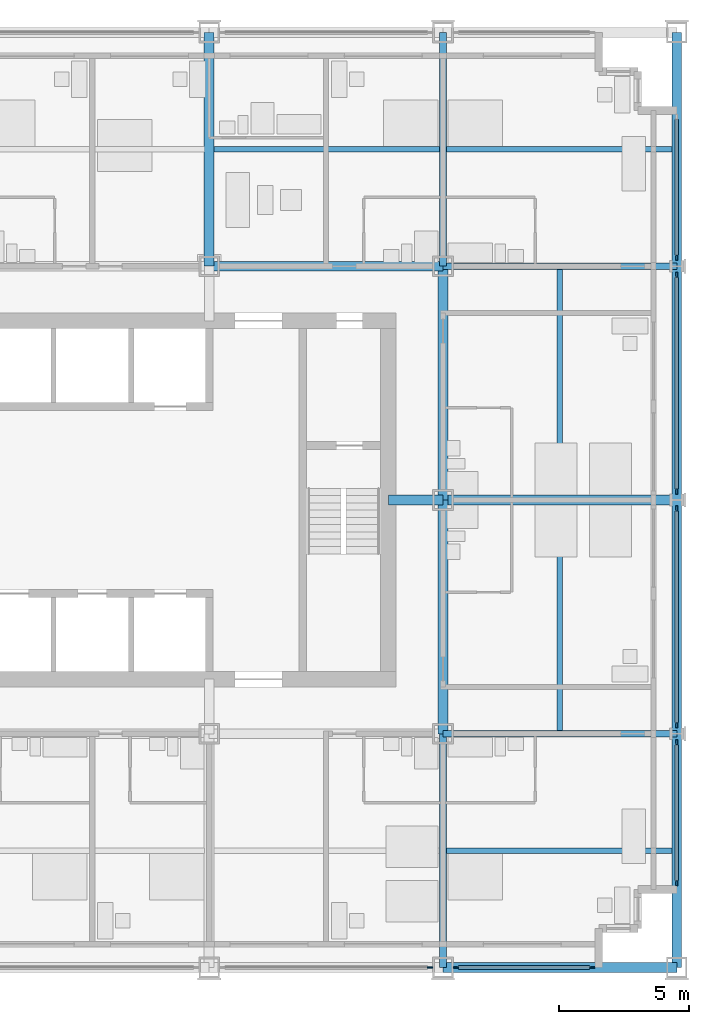
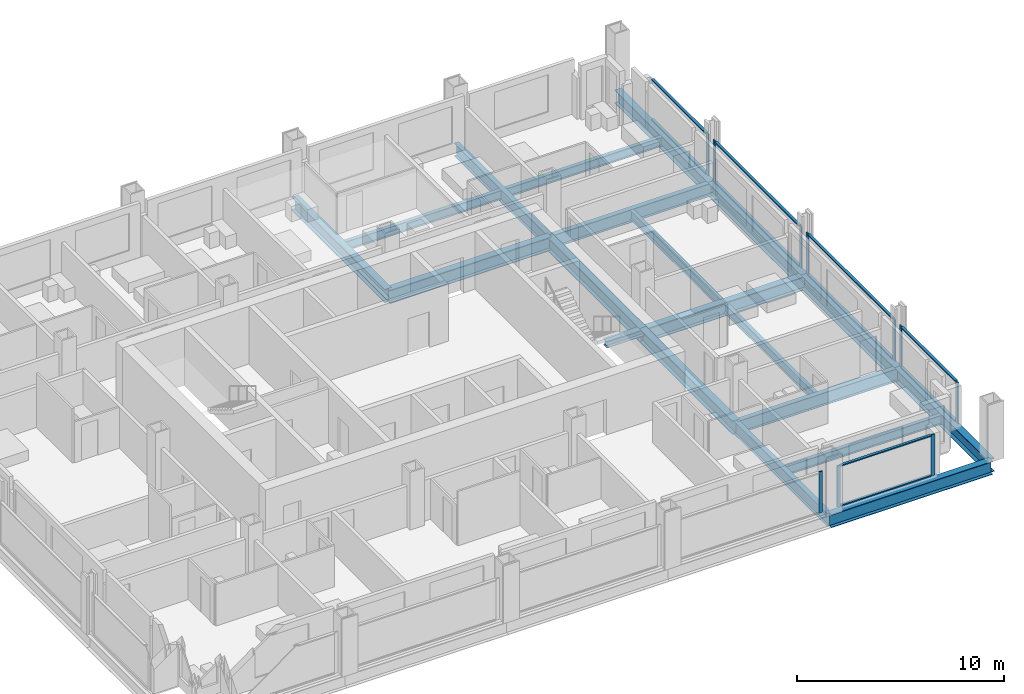
# One storey, part 5 of 16: 21 members, 19 beams, 6 elements without a shape of their own.
"""IFC4 building model written with IfcOpenShell, lengths in metres."""

import ifcopenshell
import ifcopenshell.guid

model = None  # the IFC model being written
_history = None  # IfcOwnerHistory: only IFC2X3 demands one
_inside = {}  # id of a spatial element -> (the spatial element, [elements in it])
_under = {}  # id of a project, library or spatial element -> (it, [spatial elements below it])
_declared = {}  # id of a project -> (the project, [libraries it declares])
_typed = {}  # id of a type object -> (the type object, [elements of that type])
_made_of = {}  # id of a material, layer set ... -> (it, [elements and type objects made of it])


def new_model(schema):
    """Start an empty IFC model of exactly this schema.

    Asked for "IFC4X3", IfcOpenShell would pick the latest addendum, in which some entities
    have other attributes; the version numbers below select the first issue.
    IFC2X3 requires an IfcOwnerHistory on every rooted entity: one is made here for all.
    """
    global model, _history
    if schema == "IFC4X3":
        model = ifcopenshell.file(schema_version=(4, 3, 0, 0))
    else:
        model = ifcopenshell.file(schema=schema)
    _inside.clear()
    _under.clear()
    _declared.clear()
    _typed.clear()
    _made_of.clear()
    _history = None
    if model.schema == "IFC2X3":
        org = make("IfcOrganization", Name="unknown")
        user = make(
            "IfcPersonAndOrganization",
            ThePerson=make("IfcPerson", FamilyName="unknown"),
            TheOrganization=org,
        )
        app = make(
            "IfcApplication",
            ApplicationDeveloper=org,
            Version="unknown",
            ApplicationFullName="unknown",
            ApplicationIdentifier="unknown",
        )
        _history = make(
            "IfcOwnerHistory",
            OwningUser=user,
            OwningApplication=app,
            ChangeAction="ADDED",
            CreationDate=0,
        )
    return model


def make(cls, **values):
    """One entity of the class cls with the attributes given. An attribute that is None is left unset."""
    return model.create_entity(
        cls, **{name: value for name, value in values.items() if value is not None}
    )


def rooted(cls, **values):
    """An entity with a GlobalId (a new one), such as an element, a storey or a relation."""
    return make(cls, GlobalId=ifcopenshell.guid.new(), OwnerHistory=_history, **values)


def si_unit(unit_type, name, prefix=None):
    """IfcSIUnit, for example si_unit("LENGTHUNIT", "METRE", prefix="MILLI")."""
    return make("IfcSIUnit", UnitType=unit_type, Prefix=prefix, Name=name)


def assignment(units):
    """IfcUnitAssignment: the units of a project."""
    return None if units is None else make("IfcUnitAssignment", Units=units)


def point(xyz):
    """IfcCartesianPoint."""
    return None if xyz is None else make("IfcCartesianPoint", Coordinates=xyz)


def direction(xyz):
    """IfcDirection."""
    return None if xyz is None else make("IfcDirection", DirectionRatios=xyz)


def frame(location, z_axis=None, x_axis=None):
    """IfcAxis2Placement3D, a coordinate frame: its origin and axes. An axis left out is left unset."""
    return make(
        "IfcAxis2Placement3D",
        Location=point(location),
        Axis=direction(z_axis),
        RefDirection=direction(x_axis),
    )


def frame_2d(location, x_axis=None):
    """IfcAxis2Placement2D, a coordinate frame in the plane: its origin and x axis."""
    return make(
        "IfcAxis2Placement2D", Location=point(location), RefDirection=direction(x_axis)
    )


def origin():
    """The frame at (0, 0, 0) with its axes left unset."""
    return frame((0.0, 0.0, 0.0))


def origin_2d():
    """The frame at (0, 0) in the plane with its x axis left unset."""
    return frame_2d((0.0, 0.0))


def place(relative_to, where):
    """IfcLocalPlacement: puts the frame where relative to a parent placement (None: the world)."""
    return make(
        "IfcLocalPlacement", PlacementRelTo=relative_to, RelativePlacement=where
    )


def context(
    kind, dimensions, precision=None, world=None, true_north=None, identifier=None
):
    """IfcGeometricRepresentationContext, for example the 3D "Model" context."""
    return make(
        "IfcGeometricRepresentationContext",
        ContextIdentifier=identifier,
        ContextType=kind,
        CoordinateSpaceDimension=dimensions,
        Precision=precision,
        WorldCoordinateSystem=world,
        TrueNorth=true_north,
    )


def subcontext(parent, identifier, kind, view, scale=None):
    """IfcGeometricRepresentationSubContext, for example "Body" below "Model"."""
    return make(
        "IfcGeometricRepresentationSubContext",
        ContextIdentifier=identifier,
        ContextType=kind,
        ParentContext=parent,
        TargetScale=scale,
        TargetView=view,
    )


def project(units=None, contexts=None):
    """IfcProject with its units and contexts."""
    return rooted(
        "IfcProject",
        Name="project",
        RepresentationContexts=contexts,
        UnitsInContext=assignment(units),
    )


def spatial(cls, under=None, at=None, **own):
    """A site, building, storey or space (cls), placed at a placement, below another one or the project."""
    s = rooted(cls, ObjectPlacement=at, **own)
    if under is not None:
        _under.setdefault(under.id(), (under, []))[1].append(s)
    return s


def profile(cls, at=None, kind="AREA", **sizes):
    """A parametric profile (cls). Its sizes go by their IFC names, for example OverallWidth=200.0."""
    return make(cls, ProfileType=kind, Position=at, **sizes)


def rectangle(**sizes):
    """IfcRectangleProfileDef."""
    return profile("IfcRectangleProfileDef", **sizes)


def i_section(**sizes):
    """IfcIShapeProfileDef."""
    return profile("IfcIShapeProfileDef", **sizes)


def extrude(swept, where, along, depth):
    """IfcExtrudedAreaSolid: the profile swept, set in the frame where, extruded along a direction by depth."""
    return make(
        "IfcExtrudedAreaSolid",
        SweptArea=swept,
        Position=where,
        ExtrudedDirection=direction(along),
        Depth=depth,
    )


def shape(context_of_items, identifier, shape_type, items):
    """IfcShapeRepresentation: the items that make up one representation, for example the "Body"."""
    return make(
        "IfcShapeRepresentation",
        ContextOfItems=context_of_items,
        RepresentationIdentifier=identifier,
        RepresentationType=shape_type,
        Items=items,
    )


def material(Name=None, Category=None):
    """IfcMaterial."""
    return make("IfcMaterial", Name=Name, Category=Category)


def material_profile(
    of_material, cross_section, Name=None, Category=None, Priority=None
):
    """IfcMaterialProfile: a cross section and its material."""
    return make(
        "IfcMaterialProfile",
        Name=Name,
        Material=of_material,
        Profile=cross_section,
        Priority=Priority,
        Category=Category,
    )


def profile_set(profiles, Name=None, composite=None):
    """IfcMaterialProfileSet."""
    return make(
        "IfcMaterialProfileSet",
        Name=Name,
        MaterialProfiles=profiles,
        CompositeProfile=composite,
    )


def made_of(thing, what):
    """Note that an element or type object is made of a material, layer set ...; save() writes the relation."""
    if what is not None:
        _made_of.setdefault(what.id(), (what, []))[1].append(thing)
    return thing


def type_object(cls, material=None, **own):
    """A type object (cls), such as IfcWallType, which elements share."""
    return made_of(rooted(cls, **own), material)


def element(
    cls,
    number,
    at=None,
    inside=None,
    cuts=None,
    type_object=None,
    material=None,
    context=None,
    identifier="Body",
    shape_type=None,
    held_by="IfcProductDefinitionShape",
    body=None,
    shapes=None,
    **own,
):
    """One element of the class cls, such as IfcWall. Its Tag is "e" and its number.

    at: its placement. inside: the storey or other place that contains it. cuts: it is an
    opening in that element (IfcRelVoidsElement). A single representation is given by context,
    identifier, shape_type and body (its items); several are given by shapes. held_by: the class
    of the entity that holds the representations. save() writes the other relations.
    """
    e = rooted(cls, Tag="e%d" % number, ObjectPlacement=at, **own)
    if body is not None:
        shapes = [shape(context, identifier, shape_type, body)]
    if shapes is not None:
        e.Representation = make(held_by, Representations=shapes)
    if inside is not None:
        _inside.setdefault(inside.id(), (inside, []))[1].append(e)
    if cuts is not None:
        rooted(
            "IfcRelVoidsElement", RelatingBuildingElement=cuts, RelatedOpeningElement=e
        )
    if type_object is not None:
        _typed.setdefault(type_object.id(), (type_object, []))[1].append(e)
    return made_of(e, material)


def aggregate(whole, parts):
    """IfcRelAggregates: a whole, such as a stair, and the parts it consists of."""
    return rooted("IfcRelAggregates", RelatingObject=whole, RelatedObjects=parts)


def save(model, path):
    """Write the relations noted so far, then the file.

    IfcRelAggregates (storeys below a building ...), IfcRelContainedInSpatialStructure (elements
    in a storey), IfcRelDefinesByType, IfcRelAssociatesMaterial and IfcRelDeclares: one each for
    every whole, place, type object, material and project.
    """
    for whole, parts in _under.values():
        aggregate(whole, parts)
    for where, things in _inside.values():
        rooted(
            "IfcRelContainedInSpatialStructure",
            RelatedElements=things,
            RelatingStructure=where,
        )
    for kind, things in _typed.values():
        rooted("IfcRelDefinesByType", RelatedObjects=things, RelatingType=kind)
    for what, things in _made_of.values():
        rooted("IfcRelAssociatesMaterial", RelatedObjects=things, RelatingMaterial=what)
    for by, libraries in _declared.values():
        rooted("IfcRelDeclares", RelatingContext=by, RelatedDefinitions=libraries)
    model.write(path)


model = new_model("IFC4")

# Units and contexts
model_context = context("Model", 3, precision=1e-05, world=origin(), true_north=direction((0.0, 1.0)))
body_context = subcontext(model_context, "Body", "Model", "MODEL_VIEW")
ifc_project = project(units=[si_unit("LENGTHUNIT", "METRE"), si_unit("AREAUNIT", "SQUARE_METRE"), si_unit("VOLUMEUNIT", "CUBIC_METRE"), si_unit("PLANEANGLEUNIT", "RADIAN"), si_unit("MASSUNIT", "GRAM", prefix="KILO")], contexts=[model_context])

# Site, building, storey
site_placement = place(None, origin())
site = spatial("IfcSite", under=ifc_project, at=site_placement, CompositionType="ELEMENT")
building_placement = place(site_placement, origin())
building = spatial("IfcBuilding", under=site, at=building_placement, Name="Loomwork Tower", CompositionType="ELEMENT")
storey_placement = place(building_placement, frame((0.0, 0.0, 101.0)))
storey = spatial("IfcBuildingStorey", under=building, at=storey_placement, Name="L26", CompositionType="ELEMENT", Elevation=101.0)

# Beams
ifc_material_1 = material(Name="Steel ASTM A992", Category="steel")
ifc_material_profile_1 = material_profile(ifc_material_1, i_section(OverallWidth=0.383544921875, OverallDepth=0.794921875, WebThickness=0.02099609375, FlangeThickness=0.0380859375, at=origin_2d()), Name="W30x235")
ifc_profile_set_1 = profile_set([ifc_material_profile_1], Name="Steel ASTM A992")
beam_type_1 = type_object("IfcBeamType", Name="CORE FLANK GIRDER W30x235", PredefinedType="BEAM", material=ifc_profile_set_1)
for number, where, z_axis, x_axis, name in (
    (1, (36.0, 18.0, -0.597412109375), (1.0, 0.0, 0.0), (0.0, 1.0, 0.0), "Core Flank Girder F/6-F/7 L26"),
    (2, (27.0, 27.0, -0.597412109375), (1.0, 0.0, 0.0), (0.0, 1.0, 0.0), "Core Flank Girder G/5-G/6 L26"),
    (3, (27.0, 27.0, -0.597412109375), (0.0, 1.0, 0.0), (-1.0, 0.0, 0.0), "Core Flank Girder G/5-H/5 L26"),
    (4, (36.0, 9.0, -0.597412109375), (0.0, 1.0, 0.0), (-1.0, 0.0, 0.0), "Core Flank Girder E/6-F/6 L26"),
    (5, (36.0, 18.0, -0.597412109375), (0.0, 1.0, 0.0), (-1.0, 0.0, 0.0), "Core Flank Girder F/6-G/6 L26"),
):
    element("IfcBeam", number, at=place(storey_placement, frame(where, z_axis=z_axis, x_axis=x_axis)), inside=storey, type_object=beam_type_1, Name=name, PredefinedType="BEAM", context=body_context, shape_type="SweptSolid", body=[
        extrude(i_section(OverallWidth=0.383544921875, OverallDepth=0.794921875, WebThickness=0.02099609375, FlangeThickness=0.0380859375, at=origin_2d()), origin(), (0.0, 0.0, 1.0), 9.0),
    ])

# Member
ifc_material_2 = material(Name="Steel ASTM A992", Category="steel")
ifc_material_profile_2 = material_profile(ifc_material_2, i_section(OverallWidth=0.373291015625, OverallDepth=0.373291015625, WebThickness=0.016357421875, FlangeThickness=0.026123046875, at=origin_2d()), Name="W14x132")
ifc_profile_set_2 = profile_set([ifc_material_profile_2], Name="Steel ASTM A992")
member_type_1 = type_object("IfcMemberType", Name="CORE LINK STRUT W14x132", PredefinedType="STRUT", material=ifc_profile_set_2)
member_1_placement = place(storey_placement, frame((36.0, 18.0, -0.38671875), z_axis=(-1.0, 0.0, 0.0), x_axis=(0.0, -1.0, 0.0)))
element("IfcMember", 6, at=member_1_placement, inside=storey, type_object=member_type_1, Name="Core link strut F/6-33.900,18.000 L26", PredefinedType="STRUT", context=body_context, shape_type="SweptSolid", body=[
    extrude(i_section(OverallWidth=0.373291015625, OverallDepth=0.373291015625, WebThickness=0.016357421875, FlangeThickness=0.026123046875, at=origin_2d()), origin(), (0.0, 0.0, 1.0), 2.10009765625),
])

# Beams
ifc_material_3 = material(Name="Steel ASTM A992", Category="steel")
ifc_material_profile_3 = material_profile(ifc_material_3, i_section(OverallWidth=0.2666015625, OverallDepth=0.761962890625, WebThickness=0.014404296875, FlangeThickness=0.021484375, at=origin_2d()), Name="W30x116")
ifc_profile_set_3 = profile_set([ifc_material_profile_3], Name="Steel ASTM A992")
beam_type_2 = type_object("IfcBeamType", Name="FLOOR GIRDER W30x116", PredefinedType="BEAM", material=ifc_profile_set_3)
for number, where, z_axis, x_axis, name in (
    (7, (36.0, 9.0, -0.5810546875), (1.0, 0.0, 0.0), (0.0, 1.0, 0.0), "Floor Girder E/6-E/7 L26"),
    (8, (36.0, 27.0, -0.5810546875), (1.0, 0.0, 0.0), (0.0, 1.0, 0.0), "Floor Girder G/6-G/7 L26"),
    (9, (36.0, 0.0, -0.5810546875), (0.0, 1.0, 0.0), (-1.0, 0.0, 0.0), "Floor Girder D/6-E/6 L26"),
    (10, (36.0, 27.0, -0.5810546875), (0.0, 1.0, 0.0), (-1.0, 0.0, 0.0), "Floor Girder G/6-H/6 L26"),
):
    element("IfcBeam", number, at=place(storey_placement, frame(where, z_axis=z_axis, x_axis=x_axis)), inside=storey, type_object=beam_type_2, Name=name, PredefinedType="BEAM", context=body_context, shape_type="SweptSolid", body=[
        extrude(i_section(OverallWidth=0.2666015625, OverallDepth=0.761962890625, WebThickness=0.014404296875, FlangeThickness=0.021484375, at=origin_2d()), origin(), (0.0, 0.0, 1.0), 9.0),
    ])
ifc_material_4 = material(Name="Steel ASTM A992", Category="steel")
ifc_material_profile_4 = material_profile(ifc_material_4, i_section(OverallWidth=0.2109375, OverallDepth=0.53857421875, WebThickness=0.011474609375, FlangeThickness=0.018798828125, at=origin_2d()), Name="W21x73")
ifc_profile_set_4 = profile_set([ifc_material_profile_4], Name="Steel ASTM A992")
beam_type_3 = type_object("IfcBeamType", Name="FLOOR JOIST W21x73", PredefinedType="JOIST", material=ifc_profile_set_4)
beam_1_placement = place(storey_placement, frame((27.19091796875, 31.5, -0.46923828125), z_axis=(1.0, 0.0, 0.0), x_axis=(0.0, 1.0, 0.0)))
element("IfcBeam", 11, at=beam_1_placement, inside=storey, type_object=beam_type_3, Name="Floor Joist 27.000,31.500-36.000,31.500 L26", PredefinedType="JOIST", context=body_context, shape_type="SweptSolid", body=[
    extrude(i_section(OverallWidth=0.2109375, OverallDepth=0.53857421875, WebThickness=0.011474609375, FlangeThickness=0.018798828125, at=origin_2d()), origin(), (0.0, 0.0, 1.0), 8.676025390625),
])
beam_2_placement = place(storey_placement, frame((36.133056640625, 4.5, -0.46923828125), z_axis=(1.0, 0.0, 0.0), x_axis=(0.0, 1.0, 0.0)))
element("IfcBeam", 12, at=beam_2_placement, inside=storey, type_object=beam_type_3, Name="Floor Joist 36.000,4.500-45.000,4.500 L26", PredefinedType="JOIST", context=body_context, shape_type="SweptSolid", body=[
    extrude(i_section(OverallWidth=0.2109375, OverallDepth=0.53857421875, WebThickness=0.011474609375, FlangeThickness=0.018798828125, at=origin_2d()), origin(), (0.0, 0.0, 1.0), 8.677001953125),
])
for number, where, z_axis, x_axis, name in (
    (13, (40.5, 9.133056640625, -0.46923828125), (0.0, 1.0, 0.0), (-1.0, 0.0, 0.0), "Floor Joist 40.500,9.000-40.500,18.000 L26"),
    (14, (40.5, 18.19091796875, -0.46923828125), (0.0, 1.0, 0.0), (-1.0, 0.0, 0.0), "Floor Joist 40.500,18.000-40.500,27.000 L26"),
):
    element("IfcBeam", number, at=place(storey_placement, frame(where, z_axis=z_axis, x_axis=x_axis)), inside=storey, type_object=beam_type_3, Name=name, PredefinedType="JOIST", context=body_context, shape_type="SweptSolid", body=[
        extrude(i_section(OverallWidth=0.2109375, OverallDepth=0.53857421875, WebThickness=0.011474609375, FlangeThickness=0.018798828125, at=origin_2d()), origin(), (0.0, 0.0, 1.0), 8.676025390625),
    ])
beam_3_placement = place(storey_placement, frame((36.133056640625, 31.5, -0.46923828125), z_axis=(1.0, 0.0, 0.0), x_axis=(0.0, 1.0, 0.0)))
element("IfcBeam", 15, at=beam_3_placement, inside=storey, type_object=beam_type_3, Name="Floor Joist 36.000,31.500-45.000,31.500 L26", PredefinedType="JOIST", context=body_context, shape_type="SweptSolid", body=[
    extrude(i_section(OverallWidth=0.2109375, OverallDepth=0.53857421875, WebThickness=0.011474609375, FlangeThickness=0.018798828125, at=origin_2d()), origin(), (0.0, 0.0, 1.0), 8.677001953125),
])

# Curtain wall, member
ifc_material_5 = material(Name="Aluminium curtain wall frame", Category="aluminium")
curtain_wall_type = type_object("IfcCurtainWallType", Name="Outer skin glazing hotel", PredefinedType="NOTDEFINED", material=ifc_material_5)
curtain_wall_1_placement = place(storey_placement, origin())
curtain_wall_1 = element("IfcCurtainWall", 16, at=curtain_wall_1_placement, inside=storey, type_object=curtain_wall_type, Name="Outer skin glazing hotel cw/S-27", PredefinedType="NOTDEFINED")
ifc_material_6 = material(Name="Aluminium curtain wall frame", Category="aluminium")
ifc_material_profile_5 = material_profile(ifc_material_6, rectangle(XDim=0.06494140625, YDim=0.199951171875, at=origin_2d()), Name="AL 65x200")
ifc_profile_set_5 = profile_set([ifc_material_profile_5], Name="Aluminium curtain wall frame")
member_type_2 = type_object("IfcMemberType", Name="Outer skin glazing hotel mullion", PredefinedType="MULLION", material=ifc_profile_set_5)
member_2_placement = place(storey_placement, frame((35.5, 0.0, 0.0), z_axis=(0.0, 0.0, 1.0), x_axis=(0.0, 1.0, 0.0)))
member_2 = element("IfcMember", 17, at=member_2_placement, type_object=member_type_2, Name="CW1 mullion 2", PredefinedType="MULLION", context=body_context, shape_type="SweptSolid", body=[
    extrude(rectangle(XDim=0.06494140625, YDim=0.199951171875, at=origin_2d()), origin(), (0.0, 0.0, 1.0), 2.420166015625),
])
aggregate(curtain_wall_1, [member_2])

# Curtain wall, members
curtain_wall_2_placement = place(storey_placement, origin())
curtain_wall_2 = element("IfcCurtainWall", 18, at=curtain_wall_2_placement, inside=storey, type_object=curtain_wall_type, Name="Outer skin glazing hotel cw/S-36", PredefinedType="NOTDEFINED")
member_3_placement = place(storey_placement, frame((36.5, 0.0, 0.0), z_axis=(0.0, 0.0, 1.0), x_axis=(0.0, 1.0, 0.0)))
member_3 = element("IfcMember", 19, at=member_3_placement, type_object=member_type_2, Name="CW1 mullion 1", PredefinedType="MULLION", context=body_context, shape_type="SweptSolid", body=[
    extrude(rectangle(XDim=0.06494140625, YDim=0.199951171875, at=origin_2d()), origin(), (0.0, 0.0, 1.0), 2.420166015625),
])
member_4_placement = place(storey_placement, frame((41.75, 0.0, 0.0), z_axis=(0.0, 0.0, 1.0), x_axis=(0.0, 1.0, 0.0)))
member_4 = element("IfcMember", 20, at=member_4_placement, type_object=member_type_2, Name="CW1 mullion 2", PredefinedType="MULLION", context=body_context, shape_type="SweptSolid", body=[
    extrude(rectangle(XDim=0.06494140625, YDim=0.199951171875, at=origin_2d()), origin(), (0.0, 0.0, 1.0), 2.420166015625),
])

curtain_wall_3_placement = place(storey_placement, origin())
curtain_wall_3 = element("IfcCurtainWall", 21, at=curtain_wall_3_placement, inside=storey, type_object=curtain_wall_type, Name="Outer skin glazing hotel cw/E-0", PredefinedType="NOTDEFINED")
member_5_placement = place(storey_placement, frame((45.0, 3.25, 0.0), z_axis=(0.0, 0.0, 1.0), x_axis=(-1.0, 0.0, 0.0)))
member_5 = element("IfcMember", 22, at=member_5_placement, type_object=member_type_2, Name="CW1 mullion 1", PredefinedType="MULLION", context=body_context, shape_type="SweptSolid", body=[
    extrude(rectangle(XDim=0.06494140625, YDim=0.199951171875, at=origin_2d()), origin(), (0.0, 0.0, 1.0), 2.420166015625),
])
member_6_placement = place(storey_placement, frame((45.0, 8.67529296875, 0.0), z_axis=(0.0, 0.0, 1.0), x_axis=(-1.0, 0.0, 0.0)))
member_6 = element("IfcMember", 23, at=member_6_placement, type_object=member_type_2, Name="CW1 mullion 2", PredefinedType="MULLION", context=body_context, shape_type="SweptSolid", body=[
    extrude(rectangle(XDim=0.06494140625, YDim=0.199951171875, at=origin_2d()), origin(), (0.0, 0.0, 1.0), 2.420166015625),
])

curtain_wall_4_placement = place(storey_placement, origin())
curtain_wall_4 = element("IfcCurtainWall", 24, at=curtain_wall_4_placement, inside=storey, type_object=curtain_wall_type, Name="Outer skin glazing hotel cw/E-9", PredefinedType="NOTDEFINED")
member_7_placement = place(storey_placement, frame((45.0, 9.32470703125, 0.0), z_axis=(0.0, 0.0, 1.0), x_axis=(-1.0, 0.0, 0.0)))
member_7 = element("IfcMember", 25, at=member_7_placement, type_object=member_type_2, Name="CW1 mullion 1", PredefinedType="MULLION", context=body_context, shape_type="SweptSolid", body=[
    extrude(rectangle(XDim=0.06494140625, YDim=0.199951171875, at=origin_2d()), origin(), (0.0, 0.0, 1.0), 2.420166015625),
])
member_8_placement = place(storey_placement, frame((45.0, 17.67529296875, 0.0), z_axis=(0.0, 0.0, 1.0), x_axis=(-1.0, 0.0, 0.0)))
member_8 = element("IfcMember", 26, at=member_8_placement, type_object=member_type_2, Name="CW1 mullion 2", PredefinedType="MULLION", context=body_context, shape_type="SweptSolid", body=[
    extrude(rectangle(XDim=0.06494140625, YDim=0.199951171875, at=origin_2d()), origin(), (0.0, 0.0, 1.0), 2.420166015625),
])

curtain_wall_5_placement = place(storey_placement, origin())
curtain_wall_5 = element("IfcCurtainWall", 27, at=curtain_wall_5_placement, inside=storey, type_object=curtain_wall_type, Name="Outer skin glazing hotel cw/E-18", PredefinedType="NOTDEFINED")
member_9_placement = place(storey_placement, frame((45.0, 18.32470703125, 0.0), z_axis=(0.0, 0.0, 1.0), x_axis=(-1.0, 0.0, 0.0)))
member_9 = element("IfcMember", 28, at=member_9_placement, type_object=member_type_2, Name="CW1 mullion 1", PredefinedType="MULLION", context=body_context, shape_type="SweptSolid", body=[
    extrude(rectangle(XDim=0.06494140625, YDim=0.199951171875, at=origin_2d()), origin(), (0.0, 0.0, 1.0), 2.420166015625),
])
member_10_placement = place(storey_placement, frame((45.0, 26.67529296875, 0.0), z_axis=(0.0, 0.0, 1.0), x_axis=(-1.0, 0.0, 0.0)))
member_10 = element("IfcMember", 29, at=member_10_placement, type_object=member_type_2, Name="CW1 mullion 2", PredefinedType="MULLION", context=body_context, shape_type="SweptSolid", body=[
    extrude(rectangle(XDim=0.06494140625, YDim=0.199951171875, at=origin_2d()), origin(), (0.0, 0.0, 1.0), 2.420166015625),
])

# Curtain wall, member
curtain_wall_6_placement = place(storey_placement, origin())
curtain_wall_6 = element("IfcCurtainWall", 30, at=curtain_wall_6_placement, inside=storey, type_object=curtain_wall_type, Name="Outer skin glazing hotel cw/E-27", PredefinedType="NOTDEFINED")
member_11_placement = place(storey_placement, frame((45.0, 27.32470703125, 0.0), z_axis=(0.0, 0.0, 1.0), x_axis=(-1.0, 0.0, 0.0)))
member_11 = element("IfcMember", 31, at=member_11_placement, type_object=member_type_2, Name="CW1 mullion 1", PredefinedType="MULLION", context=body_context, shape_type="SweptSolid", body=[
    extrude(rectangle(XDim=0.06494140625, YDim=0.199951171875, at=origin_2d()), origin(), (0.0, 0.0, 1.0), 2.420166015625),
])

# Member
ifc_material_7 = material(Name="Aluminium curtain wall frame", Category="aluminium")
ifc_material_profile_6 = material_profile(ifc_material_7, rectangle(XDim=0.14990234375, YDim=0.06494140625, at=origin_2d()), Name="AL 65x150")
ifc_profile_set_6 = profile_set([ifc_material_profile_6], Name="Aluminium curtain wall frame")
member_type_3 = type_object("IfcMemberType", Name="Outer skin glazing hotel transom", PredefinedType="USERDEFINED", material=ifc_profile_set_6)
member_12_placement = place(storey_placement, frame((36.60009765625, 0.0, 0.032470703125), z_axis=(1.0, 0.0, 0.0), x_axis=(0.0, 1.0, 0.0)))
member_12 = element("IfcMember", 32, at=member_12_placement, type_object=member_type_3, Name="CW1 transom 1.1", ObjectType="TRANSOM", PredefinedType="USERDEFINED", context=body_context, shape_type="SweptSolid", body=[
    extrude(rectangle(XDim=0.14990234375, YDim=0.06494140625, at=origin_2d()), origin(), (0.0, 0.0, 1.0), 5.0498046875),
])

member_13_placement = place(storey_placement, frame((36.60009765625, 0.0, 2.3876953125), z_axis=(1.0, 0.0, 0.0), x_axis=(0.0, 1.0, 0.0)))
member_13 = element("IfcMember", 33, at=member_13_placement, type_object=member_type_3, Name="CW1 transom 1.2", ObjectType="TRANSOM", PredefinedType="USERDEFINED", context=body_context, shape_type="SweptSolid", body=[
    extrude(rectangle(XDim=0.14990234375, YDim=0.06494140625, at=origin_2d()), origin(), (0.0, 0.0, 1.0), 5.0498046875),
])

aggregate(curtain_wall_2, [member_3, member_4, member_12, member_13])

member_14_placement = place(storey_placement, frame((45.0, 3.35009765625, 0.032470703125), z_axis=(0.0, 1.0, 0.0), x_axis=(-1.0, 0.0, 0.0)))
member_14 = element("IfcMember", 34, at=member_14_placement, type_object=member_type_3, Name="CW1 transom 1.1", ObjectType="TRANSOM", PredefinedType="USERDEFINED", context=body_context, shape_type="SweptSolid", body=[
    extrude(rectangle(XDim=0.14990234375, YDim=0.06494140625, at=origin_2d()), origin(), (0.0, 0.0, 1.0), 5.22509765625),
])

member_15_placement = place(storey_placement, frame((45.0, 3.35009765625, 2.3876953125), z_axis=(0.0, 1.0, 0.0), x_axis=(-1.0, 0.0, 0.0)))
member_15 = element("IfcMember", 35, at=member_15_placement, type_object=member_type_3, Name="CW1 transom 1.2", ObjectType="TRANSOM", PredefinedType="USERDEFINED", context=body_context, shape_type="SweptSolid", body=[
    extrude(rectangle(XDim=0.14990234375, YDim=0.06494140625, at=origin_2d()), origin(), (0.0, 0.0, 1.0), 5.22509765625),
])

aggregate(curtain_wall_3, [member_5, member_6, member_14, member_15])

member_16_placement = place(storey_placement, frame((45.0, 9.4248046875, 0.032470703125), z_axis=(0.0, 1.0, 0.0), x_axis=(-1.0, 0.0, 0.0)))
member_16 = element("IfcMember", 36, at=member_16_placement, type_object=member_type_3, Name="CW1 transom 1.1", ObjectType="TRANSOM", PredefinedType="USERDEFINED", context=body_context, shape_type="SweptSolid", body=[
    extrude(rectangle(XDim=0.14990234375, YDim=0.06494140625, at=origin_2d()), origin(), (0.0, 0.0, 1.0), 8.150390625),
])

member_17_placement = place(storey_placement, frame((45.0, 9.4248046875, 2.3876953125), z_axis=(0.0, 1.0, 0.0), x_axis=(-1.0, 0.0, 0.0)))
member_17 = element("IfcMember", 37, at=member_17_placement, type_object=member_type_3, Name="CW1 transom 1.2", ObjectType="TRANSOM", PredefinedType="USERDEFINED", context=body_context, shape_type="SweptSolid", body=[
    extrude(rectangle(XDim=0.14990234375, YDim=0.06494140625, at=origin_2d()), origin(), (0.0, 0.0, 1.0), 8.150390625),
])

aggregate(curtain_wall_4, [member_7, member_8, member_16, member_17])

member_18_placement = place(storey_placement, frame((45.0, 18.4248046875, 0.032470703125), z_axis=(0.0, 1.0, 0.0), x_axis=(-1.0, 0.0, 0.0)))
member_18 = element("IfcMember", 38, at=member_18_placement, type_object=member_type_3, Name="CW1 transom 1.1", ObjectType="TRANSOM", PredefinedType="USERDEFINED", context=body_context, shape_type="SweptSolid", body=[
    extrude(rectangle(XDim=0.14990234375, YDim=0.06494140625, at=origin_2d()), origin(), (0.0, 0.0, 1.0), 8.150390625),
])

member_19_placement = place(storey_placement, frame((45.0, 18.4248046875, 2.3876953125), z_axis=(0.0, 1.0, 0.0), x_axis=(-1.0, 0.0, 0.0)))
member_19 = element("IfcMember", 39, at=member_19_placement, type_object=member_type_3, Name="CW1 transom 1.2", ObjectType="TRANSOM", PredefinedType="USERDEFINED", context=body_context, shape_type="SweptSolid", body=[
    extrude(rectangle(XDim=0.14990234375, YDim=0.06494140625, at=origin_2d()), origin(), (0.0, 0.0, 1.0), 8.150390625),
])

aggregate(curtain_wall_5, [member_9, member_10, member_18, member_19])

member_20_placement = place(storey_placement, frame((45.0, 27.4248046875, 0.032470703125), z_axis=(0.0, 1.0, 0.0), x_axis=(-1.0, 0.0, 0.0)))
member_20 = element("IfcMember", 40, at=member_20_placement, type_object=member_type_3, Name="CW1 transom 1.1", ObjectType="TRANSOM", PredefinedType="USERDEFINED", context=body_context, shape_type="SweptSolid", body=[
    extrude(rectangle(XDim=0.14990234375, YDim=0.06494140625, at=origin_2d()), origin(), (0.0, 0.0, 1.0), 5.22509765625),
])

member_21_placement = place(storey_placement, frame((45.0, 27.4248046875, 2.3876953125), z_axis=(0.0, 1.0, 0.0), x_axis=(-1.0, 0.0, 0.0)))
member_21 = element("IfcMember", 41, at=member_21_placement, type_object=member_type_3, Name="CW1 transom 1.2", ObjectType="TRANSOM", PredefinedType="USERDEFINED", context=body_context, shape_type="SweptSolid", body=[
    extrude(rectangle(XDim=0.14990234375, YDim=0.06494140625, at=origin_2d()), origin(), (0.0, 0.0, 1.0), 5.22509765625),
])

aggregate(curtain_wall_6, [member_11, member_20, member_21])

# Beams
ifc_material_8 = material(Name="Steel ASTM A992", Category="steel")
ifc_material_profile_7 = material_profile(ifc_material_8, i_section(OverallWidth=0.381103515625, OverallDepth=0.77978515625, WebThickness=0.01806640625, FlangeThickness=0.0302734375, at=origin_2d()), Name="W30x191")
ifc_profile_set_7 = profile_set([ifc_material_profile_7], Name="Steel ASTM A992")
beam_type_4 = type_object("IfcBeamType", Name="SPANDREL GIRDER W30x191", PredefinedType="SPANDREL", material=ifc_profile_set_7)
for number, where, z_axis, x_axis, name in (
    (42, (36.0, 0.0, -0.58984375), (1.0, 0.0, 0.0), (0.0, 1.0, 0.0), "Spandrel Girder D/6-D/7 L26"),
    (43, (45.0, 0.0, -0.58984375), (0.0, 1.0, 0.0), (-1.0, 0.0, 0.0), "Spandrel Girder D/7-E/7 L26"),
    (44, (45.0, 9.0, -0.58984375), (0.0, 1.0, 0.0), (-1.0, 0.0, 0.0), "Spandrel Girder E/7-F/7 L26"),
    (45, (45.0, 18.0, -0.58984375), (0.0, 1.0, 0.0), (-1.0, 0.0, 0.0), "Spandrel Girder F/7-G/7 L26"),
    (46, (45.0, 27.0, -0.58984375), (0.0, 1.0, 0.0), (-1.0, 0.0, 0.0), "Spandrel Girder G/7-H/7 L26"),
):
    element("IfcBeam", number, at=place(storey_placement, frame(where, z_axis=z_axis, x_axis=x_axis)), inside=storey, type_object=beam_type_4, Name=name, PredefinedType="SPANDREL", context=body_context, shape_type="SweptSolid", body=[
        extrude(i_section(OverallWidth=0.381103515625, OverallDepth=0.77978515625, WebThickness=0.01806640625, FlangeThickness=0.0302734375, at=origin_2d()), origin(), (0.0, 0.0, 1.0), 9.0),
    ])

save(model, "model.ifc")
